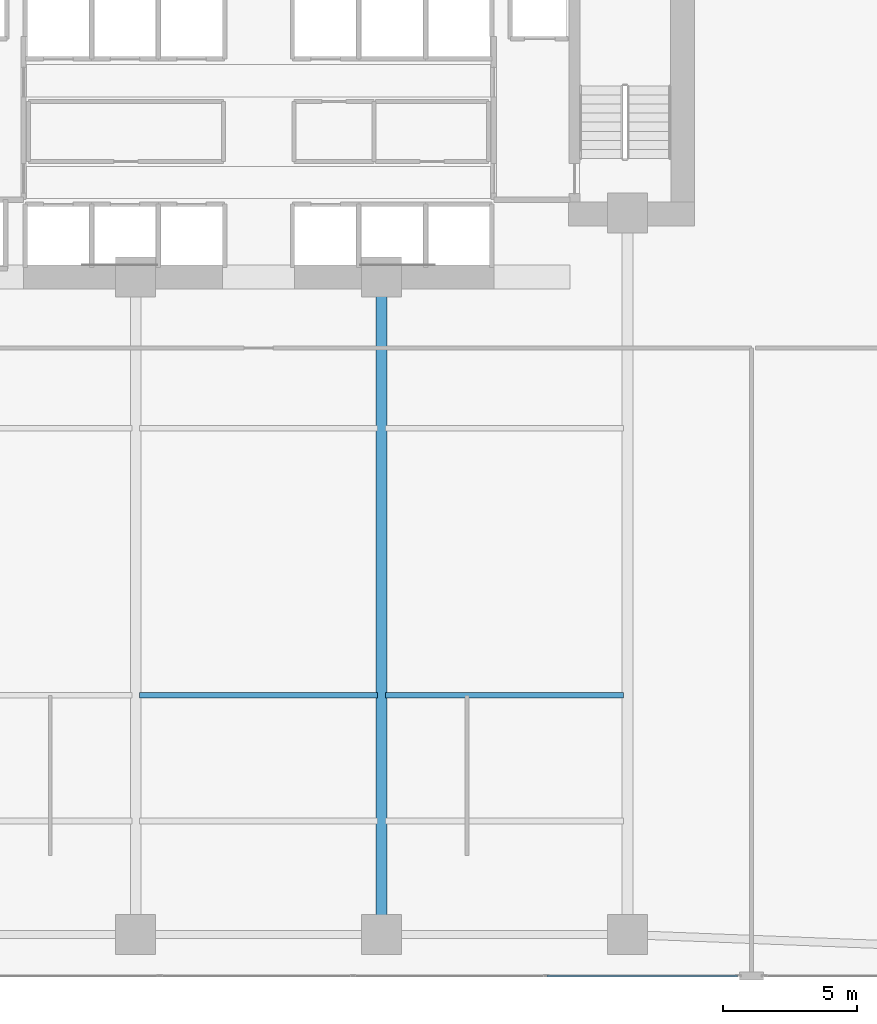
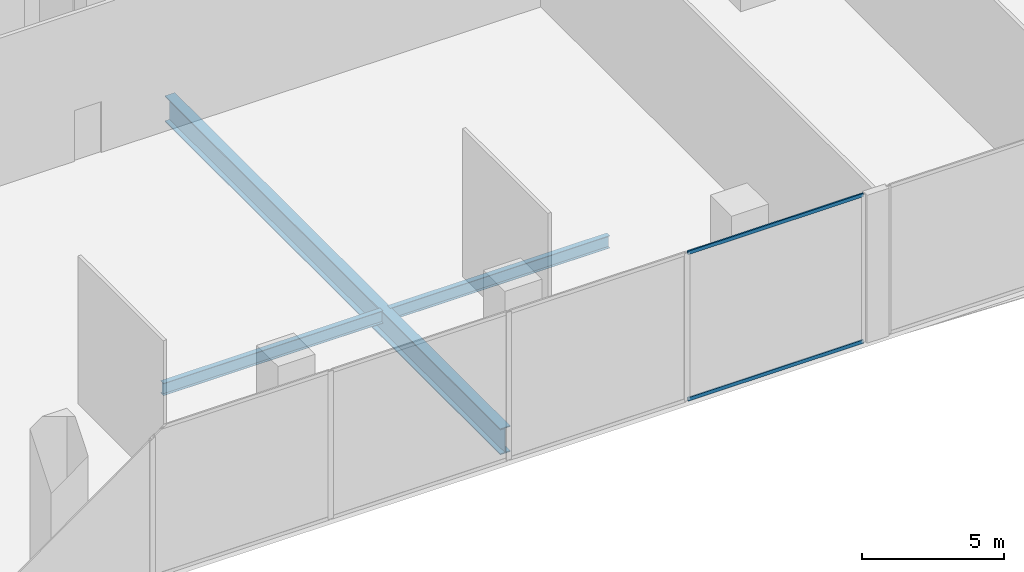
# One storey, part 9 of 30: 3 beams, 2 members, 1 element without a shape of its own.
"""IFC4 building model written with IfcOpenShell, lengths in metres."""

from ifc_helpers import new_model, si_unit, direction, frame, origin, origin_2d, place, context, subcontext, project, spatial, hollow_rectangle, i_section, extrude, material, layer, layer_set, material_profile, profile_set, type_object, element, aggregate, save


model = new_model("IFC4")

# Units and contexts
model_context = context("Model", 3, precision=1e-05, world=origin(), true_north=direction((0.0, 1.0)))
body_context = subcontext(model_context, "Body", "Model", "MODEL_VIEW")
ifc_project = project(units=[si_unit("LENGTHUNIT", "METRE"), si_unit("AREAUNIT", "SQUARE_METRE"), si_unit("VOLUMEUNIT", "CUBIC_METRE"), si_unit("PLANEANGLEUNIT", "RADIAN"), si_unit("MASSUNIT", "GRAM", prefix="KILO")], contexts=[model_context])

# Site, building, storey
site_placement = place(None, origin())
site = spatial("IfcSite", under=ifc_project, at=site_placement, CompositionType="ELEMENT")
building_placement = place(site_placement, origin())
building = spatial("IfcBuilding", under=site, at=building_placement, Name="Zuhayl Quay Hotel", CompositionType="ELEMENT")
storey_placement = place(building_placement, frame((0.0, 0.0, 11.39990234375)))
storey = spatial("IfcBuildingStorey", under=building, at=storey_placement, Name="L02", CompositionType="ELEMENT", Elevation=11.39990234375)

# Beams
ifc_material_1 = material(Name="Steel ASTM A992 Grade 50", Category="steel")
ifc_material_profile_1 = material_profile(ifc_material_1, i_section(OverallWidth=0.208984375, OverallDepth=0.532958984375, WebThickness=0.01025390625, FlangeThickness=0.015625, at=origin_2d()), Name="W21X62")
ifc_profile_set_1 = profile_set([ifc_material_profile_1], Name="Steel ASTM A992 Grade 50")
beam_type_1 = type_object("IfcBeamType", Name="BM_J1_W21X62", PredefinedType="JOIST", material=ifc_profile_set_1)
beam_1_placement = place(storey_placement, frame((-4.45458984375, -13.5, -0.5263671875), z_axis=(1.0, 0.0, 0.0), x_axis=(0.0, 1.0, 0.0)))
element("IfcBeam", 1, at=beam_1_placement, inside=storey, type_object=beam_type_1, Name="L02 Floor Beam J_POD_L02_2_2", PredefinedType="JOIST", context=body_context, shape_type="SweptSolid", body=[
    extrude(i_section(OverallWidth=0.208984375, OverallDepth=0.532958984375, WebThickness=0.01025390625, FlangeThickness=0.015625, at=origin_2d()), origin(), (0.0, 0.0, 1.0), 8.9091796875),
])
beam_2_placement = place(storey_placement, frame((4.74560546875, -13.5, -0.5263671875), z_axis=(1.0, 0.0, 0.0), x_axis=(0.0, 1.0, 0.0)))
element("IfcBeam", 2, at=beam_2_placement, inside=storey, type_object=beam_type_1, Name="L02 Floor Beam J_POD_L02_2_3", PredefinedType="JOIST", context=body_context, shape_type="SweptSolid", body=[
    extrude(i_section(OverallWidth=0.208984375, OverallDepth=0.532958984375, WebThickness=0.01025390625, FlangeThickness=0.015625, at=origin_2d()), origin(), (0.0, 0.0, 1.0), 8.908935546875),
])
ifc_material_2 = material(Name="Steel ASTM A913 Grade 65", Category="steel")
ifc_material_profile_2 = material_profile(ifc_material_2, i_section(OverallWidth=0.404052734375, OverallDepth=1.117919921875, WebThickness=0.026123046875, FlangeThickness=0.044921875, at=origin_2d()), Name="W44X335")
ifc_profile_set_2 = profile_set([ifc_material_profile_2], Name="Steel ASTM A913 Grade 65")
beam_type_2 = type_object("IfcBeamType", Name="BM_TG1_W44X335", PredefinedType="BEAM", material=ifc_profile_set_2)
beam_3_placement = place(storey_placement, frame((4.60009765625, -21.929931640625, -0.81884765625), z_axis=(0.0, 1.0, 0.0), x_axis=(-1.0, 0.0, 0.0)))
element("IfcBeam", 3, at=beam_3_placement, inside=storey, type_object=beam_type_2, Name="L02 Floor Beam PG_NS_BALL_L02_3", PredefinedType="BEAM", context=body_context, shape_type="SweptSolid", body=[
    extrude(i_section(OverallWidth=0.404052734375, OverallDepth=1.117919921875, WebThickness=0.026123046875, FlangeThickness=0.044921875, at=origin_2d()), origin(), (0.0, 0.0, 1.0), 23.559814453125),
])

# Curtain wall, members
ifc_material_3 = material(Name="Anodised Aluminium 6063-T6", Category="aluminium")
ifc_layer = layer(ifc_material_3, 0.199951171875, Name="Anodised Aluminium 6063-T6", Category="aluminium")
ifc_layer_set = layer_set([ifc_layer], Name="Anodised Aluminium 6063-T6")
curtain_wall_type = type_object("IfcCurtainWallType", Name="CW_SYS_POD", PredefinedType="USERDEFINED", material=ifc_layer_set)
curtain_wall_placement = place(storey_placement, origin())
curtain_wall = element("IfcCurtainWall", 4, at=curtain_wall_placement, inside=storey, type_object=curtain_wall_type, Name="L02 Curtain Wall ENV_L02_E11_CW2", ObjectType="UNITISED CURTAIN WALL", PredefinedType="USERDEFINED")
ifc_material_4 = material(Name="Black-anodised aluminium 6063-T6", Category="aluminium")
ifc_material_profile_3 = material_profile(ifc_material_4, hollow_rectangle(XDim=0.06005859375, YDim=0.14990234375, WallThickness=0.00341796875, at=origin_2d()), Name="ALU150X60")
ifc_profile_set_3 = profile_set([ifc_material_profile_3], Name="Black-anodised aluminium 6063-T6")
member_type = type_object("IfcMemberType", Name="MB_CW_TRN_150", PredefinedType="USERDEFINED", material=ifc_profile_set_3)
member_1_placement = place(storey_placement, frame((17.9150390625, -24.0, 0.030029296875), z_axis=(-1.0, 0.0, 0.0), x_axis=(0.0, -1.0, 0.0)))
member_1 = element("IfcMember", 5, at=member_1_placement, type_object=member_type, Name="CW-POD transom 1.1", ObjectType="TRANSOM", PredefinedType="USERDEFINED", context=body_context, shape_type="SweptSolid", body=[
    extrude(hollow_rectangle(XDim=0.06005859375, YDim=0.14990234375, WallThickness=0.00341796875, at=origin_2d()), origin(), (0.0, 0.0, 1.0), 7.115478515625),
])
member_2_placement = place(storey_placement, frame((17.9150390625, -24.0, 6.31005859375), z_axis=(-1.0, 0.0, 0.0), x_axis=(0.0, -1.0, 0.0)))
member_2 = element("IfcMember", 6, at=member_2_placement, type_object=member_type, Name="CW-POD transom 1.2", ObjectType="TRANSOM", PredefinedType="USERDEFINED", context=body_context, shape_type="SweptSolid", body=[
    extrude(hollow_rectangle(XDim=0.06005859375, YDim=0.14990234375, WallThickness=0.00341796875, at=origin_2d()), origin(), (0.0, 0.0, 1.0), 7.115478515625),
])
aggregate(curtain_wall, [member_1, member_2])

save(model, "model.ifc")
